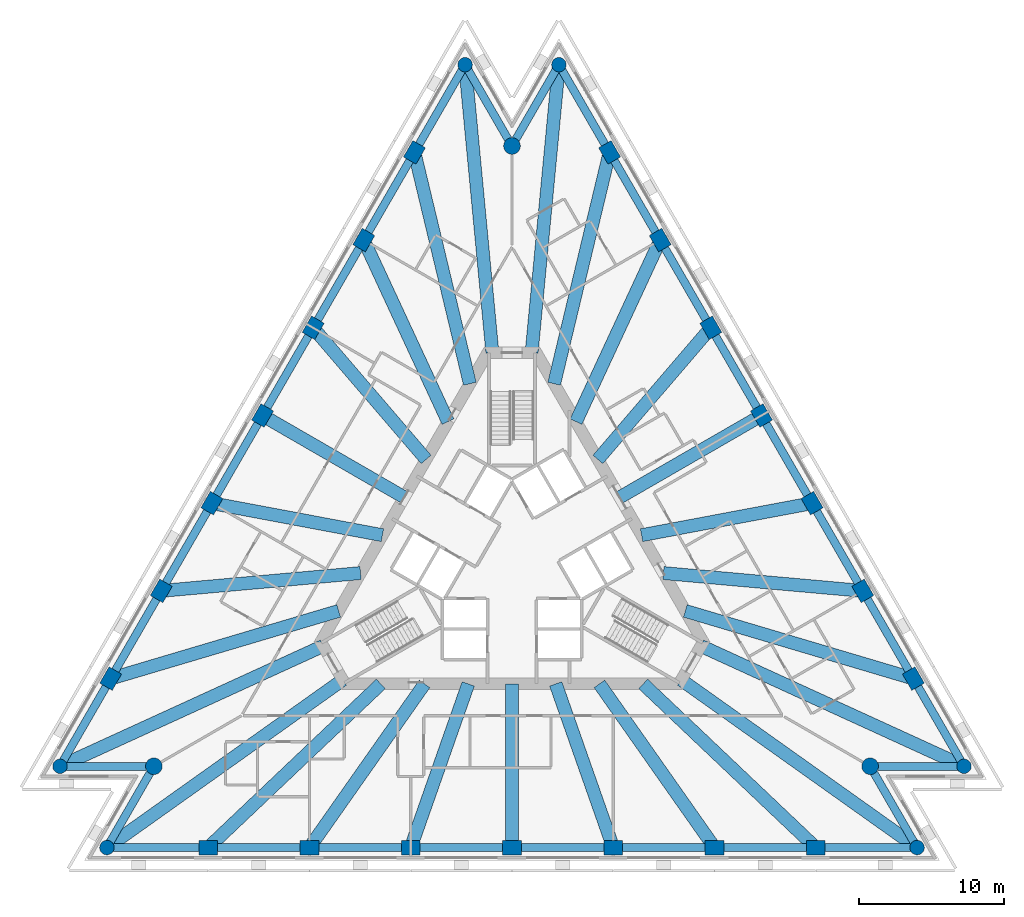
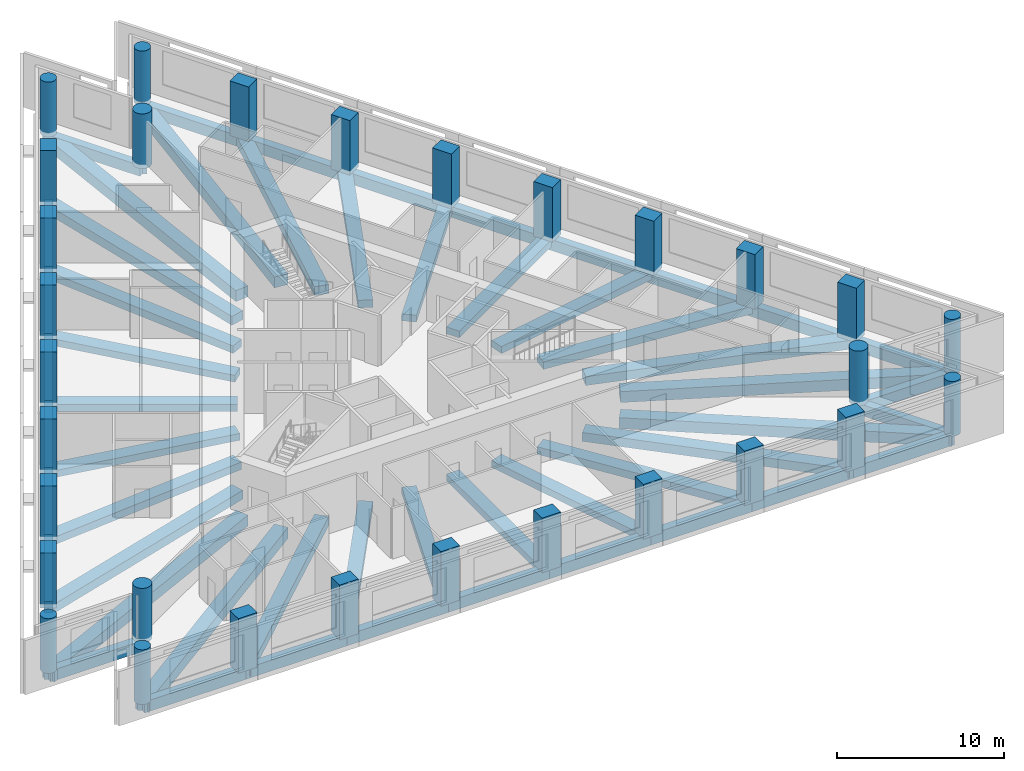
# One storey, part 1 of 10: 57 beams, 30 columns.
"""IFC4 building model written with IfcOpenShell, lengths in metres."""

from ifc_helpers import new_model, si_unit, direction, frame, origin, origin_2d, place, context, subcontext, project, spatial, rectangle, circle, extrude, material, material_profile, profile_set, type_object, element, save


model = new_model("IFC4")

# Units and contexts
model_context = context("Model", 3, precision=1e-05, world=origin(), true_north=direction((0.0, 1.0)))
body_context = subcontext(model_context, "Body", "Model", "MODEL_VIEW")
ifc_project = project(units=[si_unit("LENGTHUNIT", "METRE"), si_unit("AREAUNIT", "SQUARE_METRE"), si_unit("VOLUMEUNIT", "CUBIC_METRE"), si_unit("PLANEANGLEUNIT", "RADIAN"), si_unit("MASSUNIT", "GRAM", prefix="KILO")], contexts=[model_context])

# Site, building, storey
site_placement = place(None, origin())
site = spatial("IfcSite", under=ifc_project, at=site_placement, CompositionType="ELEMENT")
building_placement = place(site_placement, origin())
building = spatial("IfcBuilding", under=site, at=building_placement, Name="Triada Interchange Tower", CompositionType="ELEMENT")
storey_placement = place(building_placement, frame((0.0, 0.0, 108.300048828125)))
storey = spatial("IfcBuildingStorey", under=building, at=storey_placement, Name="L24", CompositionType="ELEMENT", Elevation=108.300048828125)

# Columns
ifc_material_1 = material(Name="Concrete C60/75", Category="concrete")
ifc_material_profile_1 = material_profile(ifc_material_1, rectangle(XDim=1.300048828125, YDim=1.0, at=origin_2d()), Name="RC 1300x1000")
ifc_profile_set_1 = profile_set([ifc_material_profile_1], Name="Concrete C60/75")
column_type_1 = type_object("IfcColumnType", Name="Column B face RC 1300x1000", PredefinedType="COLUMN", material=ifc_profile_set_1)
for number, where, z_axis, x_axis, name in (
    (1, (-6.74609375, 28.14892578125, -0.300048828125), (0.0, 0.0, 1.0), (0.5, 0.866025403784, 0.0), "Column CB02 L24"),
    (2, (-10.2470703125, 22.0859375, -0.300048828125), (0.0, 0.0, 1.0), (0.5, 0.866025403784, 0.0), "Column CB03 L24"),
    (3, (-13.748046875, 16.02197265625, -0.300048828125), (0.0, 0.0, 1.0), (0.5, 0.866025403784, 0.0), "Column CB04 L24"),
    (4, (-17.248046875, 9.9580078125, -0.300048828125), (0.0, 0.0, 1.0), (0.5, 0.866025403784, 0.0), "Column CB05 L24"),
    (5, (-20.7490234375, 3.89501953125, -0.300048828125), (0.0, 0.0, 1.0), (0.5, 0.866025403784, 0.0), "Column CB06 L24"),
    (6, (-24.25, -2.1689453125, -0.300048828125), (0.0, 0.0, 1.0), (0.5, 0.866025403784, 0.0), "Column CB07 L24"),
    (7, (-27.7509765625, -8.23193359375, -0.300048828125), (0.0, 0.0, 1.0), (0.5, 0.866025403784, 0.0), "Column CB08 L24"),
    (8, (-21.0048828125, -19.9169921875, -0.300048828125), (0.0, 0.0, 1.0), (1.0, 0.0, 0.0), "Column CB11 L24"),
    (9, (-14.00390625, -19.9169921875, -0.300048828125), (0.0, 0.0, 1.0), (1.0, 0.0, 0.0), "Column CB12 L24"),
    (10, (-7.001953125, -19.9169921875, -0.300048828125), (0.0, 0.0, 1.0), (1.0, 0.0, 0.0), "Column CB13 L24"),
    (11, (0.0, -19.9169921875, -0.300048828125), (0.0, 0.0, 1.0), (1.0, 0.0, 0.0), "Column CB14 L24"),
    (12, (7.001953125, -19.9169921875, -0.300048828125), (0.0, 0.0, 1.0), (1.0, 0.0, 0.0), "Column CB15 L24"),
    (13, (14.0029296875, -19.9169921875, -0.300048828125), (0.0, 0.0, 1.0), (1.0, 0.0, 0.0), "Column CB16 L24"),
    (14, (21.0048828125, -19.9169921875, -0.300048828125), (0.0, 0.0, 1.0), (1.0, 0.0, 0.0), "Column CB17 L24"),
    (15, (27.7509765625, -8.23193359375, -0.300048828125), (0.0, 0.0, 1.0), (-0.5, 0.866025403784, 0.0), "Column CB20 L24"),
    (16, (24.25, -2.1689453125, -0.300048828125), (0.0, 0.0, 1.0), (-0.5, 0.866025403784, 0.0), "Column CB21 L24"),
    (17, (20.7490234375, 3.89501953125, -0.300048828125), (0.0, 0.0, 1.0), (-0.5, 0.866025403784, 0.0), "Column CB22 L24"),
    (18, (17.248046875, 9.9580078125, -0.300048828125), (0.0, 0.0, 1.0), (-0.5, 0.866025403784, 0.0), "Column CB23 L24"),
    (19, (13.748046875, 16.02197265625, -0.300048828125), (0.0, 0.0, 1.0), (-0.5, 0.866025403784, 0.0), "Column CB24 L24"),
    (20, (10.2470703125, 22.0859375, -0.300048828125), (0.0, 0.0, 1.0), (-0.5, 0.866025403784, 0.0), "Column CB25 L24"),
    (21, (6.74609375, 28.14892578125, -0.300048828125), (0.0, 0.0, 1.0), (-0.5, 0.866025403784, 0.0), "Column CB26 L24"),
):
    element("IfcColumn", number, at=place(storey_placement, frame(where, z_axis=z_axis, x_axis=x_axis)), inside=storey, type_object=column_type_1, Name=name, PredefinedType="COLUMN", context=body_context, shape_type="SweptSolid", body=[
        extrude(rectangle(XDim=1.300048828125, YDim=1.0, at=origin_2d()), origin(), (0.0, 0.0, 1.0), 4.0),
    ])
ifc_material_profile_2 = material_profile(ifc_material_1, circle(Radius=0.5, at=origin_2d()), Name="RC D1000")
ifc_profile_set_2 = profile_set([ifc_material_profile_2], Name="Concrete C60/75")
column_type_2 = type_object("IfcColumnType", Name="End column B RC D1000", PredefinedType="COLUMN", material=ifc_profile_set_2)
for number, where, z_axis, x_axis, name in (
    (22, (-3.2451171875, 34.212890625, -0.300048828125), (0.0, 0.0, 1.0), (0.5, 0.866025403784, 0.0), "Column CB01 L24"),
    (23, (-31.251953125, -14.2958984375, -0.300048828125), (0.0, 0.0, 1.0), (0.5, 0.866025403784, 0.0), "Column CB09 L24"),
    (24, (-28.007080078125, -19.9169921875, -0.300048828125), (0.0, 0.0, 1.0), (1.0, 0.0, 0.0), "Column CB10 L24"),
    (25, (28.007080078125, -19.9169921875, -0.300048828125), (0.0, 0.0, 1.0), (1.0, 0.0, 0.0), "Column CB18 L24"),
    (26, (31.251953125, -14.2958984375, -0.300048828125), (0.0, 0.0, 1.0), (-0.5, 0.866025403784, 0.0), "Column CB19 L24"),
    (27, (3.2451171875, 34.212890625, -0.300048828125), (0.0, 0.0, 1.0), (-0.5, 0.866025403784, 0.0), "Column CB27 L24"),
):
    element("IfcColumn", number, at=place(storey_placement, frame(where, z_axis=z_axis, x_axis=x_axis)), inside=storey, type_object=column_type_2, Name=name, PredefinedType="COLUMN", context=body_context, shape_type="SweptSolid", body=[
        extrude(circle(Radius=0.5, at=origin_2d()), origin(), (0.0, 0.0, 1.0), 4.0),
    ])
ifc_material_profile_3 = material_profile(ifc_material_1, circle(Radius=0.574951171875, at=origin_2d()), Name="RC D1150")
ifc_profile_set_3 = profile_set([ifc_material_profile_3], Name="Concrete C60/75")
column_type_3 = type_object("IfcColumnType", Name="Mega column B RC D1150", PredefinedType="COLUMN", material=ifc_profile_set_3)
for number, where, z_axis, x_axis, name in (
    (28, (0.0, 28.593017578125, -0.300048828125), (0.0, 0.0, 1.0), (1.0, 0.0, 0.0), "Column MB1 L24"),
    (29, (-24.761962890625, -14.2958984375, -0.300048828125), (0.0, 0.0, 1.0), (1.0, 0.0, 0.0), "Column MB2 L24"),
    (30, (24.761962890625, -14.2958984375, -0.300048828125), (0.0, 0.0, 1.0), (1.0, 0.0, 0.0), "Column MB3 L24"),
):
    element("IfcColumn", number, at=place(storey_placement, frame(where, z_axis=z_axis, x_axis=x_axis)), inside=storey, type_object=column_type_3, Name=name, PredefinedType="COLUMN", context=body_context, shape_type="SweptSolid", body=[
        extrude(circle(Radius=0.574951171875, at=origin_2d()), origin(), (0.0, 0.0, 1.0), 4.0),
    ])

# Beams
ifc_material_2 = material(Name="Concrete C50/60", Category="concrete")
ifc_material_profile_4 = material_profile(ifc_material_2, rectangle(XDim=0.89990234375, YDim=0.5, at=origin_2d()), Name="RC 900x500")
ifc_profile_set_4 = profile_set([ifc_material_profile_4], Name="Concrete C50/60")
beam_type_1 = type_object("IfcBeamType", Name="Radial band beam B RC 900x500", PredefinedType="BEAM", material=ifc_profile_set_4)
beam_1_placement = place(storey_placement, frame((-13.748046875, 16.02197265625, -0.550048828125), z_axis=(0.651203572594, -0.758903094631, 0.0), x_axis=(0.758903094631, 0.651203572594, 0.0)))
element("IfcBeam", 31, at=beam_1_placement, inside=storey, type_object=beam_type_1, Name="Radial band beam BB04 L24", PredefinedType="BEAM", context=body_context, shape_type="SweptSolid", body=[
    extrude(rectangle(XDim=0.89990234375, YDim=0.5, at=origin_2d()), origin(), (0.0, 0.0, 1.0), 11.996337890625),
])
beam_2_placement = place(storey_placement, frame((-17.248046875, 9.9580078125, -0.550048828125), z_axis=(0.866029300872, -0.499993249986, 0.0), x_axis=(0.499993249986, 0.866029300872, 0.0)))
element("IfcBeam", 32, at=beam_2_placement, inside=storey, type_object=beam_type_1, Name="Radial band beam BB05 L24", PredefinedType="BEAM", context=body_context, shape_type="SweptSolid", body=[
    extrude(rectangle(XDim=0.89990234375, YDim=0.5, at=origin_2d()), origin(), (0.0, 0.0, 1.0), 11.316162109375),
])
beam_3_placement = place(storey_placement, frame((-20.7490234375, 3.89501953125, -0.550048828125), z_axis=(0.982834380844, -0.184490053474, 0.0), x_axis=(0.184490053474, 0.982834380844, 0.0)))
element("IfcBeam", 33, at=beam_3_placement, inside=storey, type_object=beam_type_1, Name="Radial band beam BB06 L24", PredefinedType="BEAM", context=body_context, shape_type="SweptSolid", body=[
    extrude(rectangle(XDim=0.89990234375, YDim=0.5, at=origin_2d()), origin(), (0.0, 0.0, 1.0), 11.995849609375),
])
beam_4_placement = place(storey_placement, frame((-7.001953125, -19.9169921875, -0.550048828125), z_axis=(0.331693580606, 0.943387178514, 0.0), x_axis=(-0.943387178514, 0.331693580606, 0.0)))
element("IfcBeam", 34, at=beam_4_placement, inside=storey, type_object=beam_type_1, Name="Radial band beam BB14 L24", PredefinedType="BEAM", context=body_context, shape_type="SweptSolid", body=[
    extrude(rectangle(XDim=0.89990234375, YDim=0.5, at=origin_2d()), origin(), (0.0, 0.0, 1.0), 11.99609375),
])
beam_5_placement = place(storey_placement, frame((0.0, -19.9169921875, -0.550048828125), z_axis=(0.0, 1.0, 0.0), x_axis=(-1.0, 0.0, 0.0)))
element("IfcBeam", 35, at=beam_5_placement, inside=storey, type_object=beam_type_1, Name="Radial band beam BB15 L24", PredefinedType="BEAM", context=body_context, shape_type="SweptSolid", body=[
    extrude(rectangle(XDim=0.89990234375, YDim=0.5, at=origin_2d()), origin(), (0.0, 0.0, 1.0), 11.31689453125),
])
beam_6_placement = place(storey_placement, frame((7.001953125, -19.9169921875, -0.550048828125), z_axis=(-0.331693580606, 0.943387178514, 0.0), x_axis=(-0.943387178514, -0.331693580606, 0.0)))
element("IfcBeam", 36, at=beam_6_placement, inside=storey, type_object=beam_type_1, Name="Radial band beam BB16 L24", PredefinedType="BEAM", context=body_context, shape_type="SweptSolid", body=[
    extrude(rectangle(XDim=0.89990234375, YDim=0.5, at=origin_2d()), origin(), (0.0, 0.0, 1.0), 11.99609375),
])
beam_7_placement = place(storey_placement, frame((20.7490234375, 3.89501953125, -0.550048828125), z_axis=(-0.982834380844, -0.184490053474, 0.0), x_axis=(0.184490053474, -0.982834380844, 0.0)))
element("IfcBeam", 37, at=beam_7_placement, inside=storey, type_object=beam_type_1, Name="Radial band beam BB24 L24", PredefinedType="BEAM", context=body_context, shape_type="SweptSolid", body=[
    extrude(rectangle(XDim=0.89990234375, YDim=0.5, at=origin_2d()), origin(), (0.0, 0.0, 1.0), 11.995849609375),
])
beam_8_placement = place(storey_placement, frame((17.248046875, 9.9580078125, -0.550048828125), z_axis=(-0.866029300872, -0.499993249986, 0.0), x_axis=(0.499993249986, -0.866029300872, 0.0)))
element("IfcBeam", 38, at=beam_8_placement, inside=storey, type_object=beam_type_1, Name="Radial band beam BB25 L24", PredefinedType="BEAM", context=body_context, shape_type="SweptSolid", body=[
    extrude(rectangle(XDim=0.89990234375, YDim=0.5, at=origin_2d()), origin(), (0.0, 0.0, 1.0), 11.316162109375),
])
beam_9_placement = place(storey_placement, frame((13.748046875, 16.02197265625, -0.550048828125), z_axis=(-0.651203572594, -0.758903094631, 0.0), x_axis=(0.758903094631, -0.651203572594, 0.0)))
element("IfcBeam", 39, at=beam_9_placement, inside=storey, type_object=beam_type_1, Name="Radial band beam BB26 L24", PredefinedType="BEAM", context=body_context, shape_type="SweptSolid", body=[
    extrude(rectangle(XDim=0.89990234375, YDim=0.5, at=origin_2d()), origin(), (0.0, 0.0, 1.0), 11.996337890625),
])
ifc_material_profile_5 = material_profile(ifc_material_2, rectangle(XDim=0.89990234375, YDim=0.550048828125, at=origin_2d()), Name="RC 900x550")
ifc_profile_set_5 = profile_set([ifc_material_profile_5], Name="Concrete C50/60")
beam_type_2 = type_object("IfcBeamType", Name="Radial band beam B RC 900x550", PredefinedType="BEAM", material=ifc_profile_set_5)
beam_10_placement = place(storey_placement, frame((-10.2470703125, 22.0859375, -0.574951171875), z_axis=(0.420884722934, -0.907114132842, 0.0), x_axis=(0.907114132842, 0.420884722934, 0.0)))
element("IfcBeam", 40, at=beam_10_placement, inside=storey, type_object=beam_type_2, Name="Radial band beam BB03 L24", PredefinedType="BEAM", context=body_context, shape_type="SweptSolid", body=[
    extrude(rectangle(XDim=0.89990234375, YDim=0.550048828125, at=origin_2d()), origin(), (0.0, 0.0, 1.0), 13.835205078125),
])
beam_11_placement = place(storey_placement, frame((-24.25, -2.1689453125, -0.574951171875), z_axis=(0.996027062584, 0.089051056146, 0.0), x_axis=(-0.089051056146, 0.996027062584, 0.0)))
element("IfcBeam", 41, at=beam_11_placement, inside=storey, type_object=beam_type_2, Name="Radial band beam BB07 L24", PredefinedType="BEAM", context=body_context, shape_type="SweptSolid", body=[
    extrude(rectangle(XDim=0.89990234375, YDim=0.550048828125, at=origin_2d()), origin(), (0.0, 0.0, 1.0), 13.833984375),
])
for number, where, z_axis, x_axis, name in (
    (42, (-14.00390625, -19.9169921875, -0.574951171875), (0.57515719257, 0.818042910754, 0.0), (-0.818042910754, 0.57515719257, 0.0), "Radial band beam BB13 L24"),
    (43, (14.0029296875, -19.9169921875, -0.574951171875), (-0.575169002149, 0.818034607438, 0.0), (-0.818034607438, -0.575169002149, 0.0), "Radial band beam BB17 L24"),
):
    element("IfcBeam", number, at=place(storey_placement, frame(where, z_axis=z_axis, x_axis=x_axis)), inside=storey, type_object=beam_type_2, Name=name, PredefinedType="BEAM", context=body_context, shape_type="SweptSolid", body=[
        extrude(rectangle(XDim=0.89990234375, YDim=0.550048828125, at=origin_2d()), origin(), (0.0, 0.0, 1.0), 13.834228515625),
    ])
beam_12_placement = place(storey_placement, frame((24.25, -2.1689453125, -0.574951171875), z_axis=(-0.996027062584, 0.089051056146, 0.0), x_axis=(-0.089051056146, -0.996027062584, 0.0)))
element("IfcBeam", 44, at=beam_12_placement, inside=storey, type_object=beam_type_2, Name="Radial band beam BB23 L24", PredefinedType="BEAM", context=body_context, shape_type="SweptSolid", body=[
    extrude(rectangle(XDim=0.89990234375, YDim=0.550048828125, at=origin_2d()), origin(), (0.0, 0.0, 1.0), 13.833984375),
])
beam_13_placement = place(storey_placement, frame((10.2470703125, 22.0859375, -0.574951171875), z_axis=(-0.420884722934, -0.907114132842, 0.0), x_axis=(0.907114132842, -0.420884722934, 0.0)))
element("IfcBeam", 45, at=beam_13_placement, inside=storey, type_object=beam_type_2, Name="Radial band beam BB27 L24", PredefinedType="BEAM", context=body_context, shape_type="SweptSolid", body=[
    extrude(rectangle(XDim=0.89990234375, YDim=0.550048828125, at=origin_2d()), origin(), (0.0, 0.0, 1.0), 13.835205078125),
])
ifc_material_profile_6 = material_profile(ifc_material_2, rectangle(XDim=0.89990234375, YDim=0.64990234375, at=origin_2d()), Name="RC 900x650")
ifc_profile_set_6 = profile_set([ifc_material_profile_6], Name="Concrete C50/60")
beam_type_3 = type_object("IfcBeamType", Name="Radial band beam B RC 900x650", PredefinedType="BEAM", material=ifc_profile_set_6)
beam_14_placement = place(storey_placement, frame((-6.74609375, 28.14892578125, -0.625), z_axis=(0.23304171282, -0.972466739835, 0.0), x_axis=(0.972466739835, 0.23304171282, 0.0)))
element("IfcBeam", 46, at=beam_14_placement, inside=storey, type_object=beam_type_3, Name="Radial band beam BB02 L24", PredefinedType="BEAM", context=body_context, shape_type="SweptSolid", body=[
    extrude(rectangle(XDim=0.89990234375, YDim=0.64990234375, at=origin_2d()), origin(), (0.0, 0.0, 1.0), 16.44775390625),
])
beam_15_placement = place(storey_placement, frame((-27.7509765625, -8.23193359375, -0.625), z_axis=(0.958704173735, 0.284405181498, 0.0), x_axis=(-0.284405181498, 0.958704173735, 0.0)))
element("IfcBeam", 47, at=beam_15_placement, inside=storey, type_object=beam_type_3, Name="Radial band beam BB08 L24", PredefinedType="BEAM", context=body_context, shape_type="SweptSolid", body=[
    extrude(rectangle(XDim=0.89990234375, YDim=0.64990234375, at=origin_2d()), origin(), (0.0, 0.0, 1.0), 16.4482421875),
])
for number, where, z_axis, x_axis, name in (
    (48, (-21.0048828125, -19.9169921875, -0.625), (0.725642124038, 0.688072312931, 0.0), (-0.688072312931, 0.725642124038, 0.0), "Radial band beam BB12 L24"),
    (49, (21.0048828125, -19.9169921875, -0.625), (-0.725642124038, 0.688072312931, 0.0), (-0.688072312931, -0.725642124038, 0.0), "Radial band beam BB18 L24"),
):
    element("IfcBeam", number, at=place(storey_placement, frame(where, z_axis=z_axis, x_axis=x_axis)), inside=storey, type_object=beam_type_3, Name=name, PredefinedType="BEAM", context=body_context, shape_type="SweptSolid", body=[
        extrude(rectangle(XDim=0.89990234375, YDim=0.64990234375, at=origin_2d()), origin(), (0.0, 0.0, 1.0), 16.447265625),
    ])
beam_16_placement = place(storey_placement, frame((27.7509765625, -8.23193359375, -0.625), z_axis=(-0.958704173735, 0.284405181498, 0.0), x_axis=(-0.284405181498, -0.958704173735, 0.0)))
element("IfcBeam", 50, at=beam_16_placement, inside=storey, type_object=beam_type_3, Name="Radial band beam BB22 L24", PredefinedType="BEAM", context=body_context, shape_type="SweptSolid", body=[
    extrude(rectangle(XDim=0.89990234375, YDim=0.64990234375, at=origin_2d()), origin(), (0.0, 0.0, 1.0), 16.4482421875),
])
beam_17_placement = place(storey_placement, frame((6.74609375, 28.14892578125, -0.625), z_axis=(-0.23304171282, -0.972466739835, 0.0), x_axis=(0.972466739835, -0.23304171282, 0.0)))
element("IfcBeam", 51, at=beam_17_placement, inside=storey, type_object=beam_type_3, Name="Radial band beam BB28 L24", PredefinedType="BEAM", context=body_context, shape_type="SweptSolid", body=[
    extrude(rectangle(XDim=0.89990234375, YDim=0.64990234375, at=origin_2d()), origin(), (0.0, 0.0, 1.0), 16.44775390625),
])
ifc_material_profile_7 = material_profile(ifc_material_2, rectangle(XDim=0.89990234375, YDim=0.800048828125, at=origin_2d()), Name="RC 900x800")
ifc_profile_set_7 = profile_set([ifc_material_profile_7], Name="Concrete C50/60")
beam_type_4 = type_object("IfcBeamType", Name="Radial band beam B RC 900x800", PredefinedType="BEAM", material=ifc_profile_set_7)
beam_18_placement = place(storey_placement, frame((-3.2451171875, 34.212890625, -0.699951171875), z_axis=(0.094447360119, -0.995529856994, 0.0), x_axis=(0.995529856994, 0.094447360119, 0.0)))
element("IfcBeam", 52, at=beam_18_placement, inside=storey, type_object=beam_type_4, Name="Radial band beam BB01 L24", PredefinedType="BEAM", context=body_context, shape_type="SweptSolid", body=[
    extrude(rectangle(XDim=0.89990234375, YDim=0.800048828125, at=origin_2d()), origin(), (0.0, 0.0, 1.0), 20.002197265625),
])
beam_19_placement = place(storey_placement, frame((-31.251953125, -14.2958984375, -0.699951171875), z_axis=(0.909372387987, 0.415983004421, 0.0), x_axis=(-0.415983004421, 0.909372387987, 0.0)))
element("IfcBeam", 53, at=beam_19_placement, inside=storey, type_object=beam_type_4, Name="Radial band beam BB09 L24", PredefinedType="BEAM", context=body_context, shape_type="SweptSolid", body=[
    extrude(rectangle(XDim=0.89990234375, YDim=0.800048828125, at=origin_2d()), origin(), (0.0, 0.0, 1.0), 20.002685546875),
])
for number, where, z_axis, x_axis, name in (
    (54, (-28.007080078125, -19.9169921875, -0.699951171875), (0.814950584843, 0.579530451541, 0.0), (-0.579530451541, 0.814950584843, 0.0), "Radial band beam BB11 L24"),
    (55, (28.007080078125, -19.9169921875, -0.699951171875), (-0.814950584843, 0.579530451541, 0.0), (-0.579530451541, -0.814950584843, 0.0), "Radial band beam BB19 L24"),
):
    element("IfcBeam", number, at=place(storey_placement, frame(where, z_axis=z_axis, x_axis=x_axis)), inside=storey, type_object=beam_type_4, Name=name, PredefinedType="BEAM", context=body_context, shape_type="SweptSolid", body=[
        extrude(rectangle(XDim=0.89990234375, YDim=0.800048828125, at=origin_2d()), origin(), (0.0, 0.0, 1.0), 20.00244140625),
    ])
beam_20_placement = place(storey_placement, frame((31.251953125, -14.2958984375, -0.699951171875), z_axis=(-0.909372387987, 0.415983004421, 0.0), x_axis=(-0.415983004421, -0.909372387987, 0.0)))
element("IfcBeam", 56, at=beam_20_placement, inside=storey, type_object=beam_type_4, Name="Radial band beam BB21 L24", PredefinedType="BEAM", context=body_context, shape_type="SweptSolid", body=[
    extrude(rectangle(XDim=0.89990234375, YDim=0.800048828125, at=origin_2d()), origin(), (0.0, 0.0, 1.0), 20.002685546875),
])
beam_21_placement = place(storey_placement, frame((3.2451171875, 34.212890625, -0.699951171875), z_axis=(-0.094447360119, -0.995529856994, 0.0), x_axis=(0.995529856994, -0.094447360119, 0.0)))
element("IfcBeam", 57, at=beam_21_placement, inside=storey, type_object=beam_type_4, Name="Radial band beam BB29 L24", PredefinedType="BEAM", context=body_context, shape_type="SweptSolid", body=[
    extrude(rectangle(XDim=0.89990234375, YDim=0.800048828125, at=origin_2d()), origin(), (0.0, 0.0, 1.0), 20.002197265625),
])
ifc_material_profile_8 = material_profile(ifc_material_2, rectangle(XDim=0.550048828125, YDim=0.800048828125, at=origin_2d()), Name="RC 550x800")
ifc_profile_set_8 = profile_set([ifc_material_profile_8], Name="Concrete C50/60")
beam_type_5 = type_object("IfcBeamType", Name="Spandrel beam B RC 550x800", PredefinedType="BEAM", material=ifc_profile_set_8)
beam_22_placement = place(storey_placement, frame((-3.2451171875, 34.212890625, -0.699951171875), z_axis=(-0.499994090379, -0.866028815679, 0.0), x_axis=(0.866028815679, -0.499994090379, 0.0)))
element("IfcBeam", 58, at=beam_22_placement, inside=storey, type_object=beam_type_5, Name="Spandrel beam EB01 L24", PredefinedType="BEAM", context=body_context, shape_type="SweptSolid", body=[
    extrude(rectangle(XDim=0.550048828125, YDim=0.800048828125, at=origin_2d()), origin(), (0.0, 0.0, 1.0), 7.001953125),
])
beam_23_placement = place(storey_placement, frame((-6.74609375, 28.14892578125, -0.699951171875), z_axis=(-0.500054487556, -0.865993943094, 0.0), x_axis=(0.865993943094, -0.500054487556, 0.0)))
element("IfcBeam", 59, at=beam_23_placement, inside=storey, type_object=beam_type_5, Name="Spandrel beam EB02 L24", PredefinedType="BEAM", context=body_context, shape_type="SweptSolid", body=[
    extrude(rectangle(XDim=0.550048828125, YDim=0.800048828125, at=origin_2d()), origin(), (0.0, 0.0, 1.0), 7.001220703125),
])
beam_24_placement = place(storey_placement, frame((-10.2470703125, 22.0859375, -0.699951171875), z_axis=(-0.499994090379, -0.866028815679, 0.0), x_axis=(0.866028815679, -0.499994090379, 0.0)))
element("IfcBeam", 60, at=beam_24_placement, inside=storey, type_object=beam_type_5, Name="Spandrel beam EB03 L24", PredefinedType="BEAM", context=body_context, shape_type="SweptSolid", body=[
    extrude(rectangle(XDim=0.550048828125, YDim=0.800048828125, at=origin_2d()), origin(), (0.0, 0.0, 1.0), 7.001953125),
])
beam_25_placement = place(storey_placement, frame((-13.748046875, 16.02197265625, -0.699951171875), z_axis=(-0.499889477339, -0.86608920467, 0.0), x_axis=(0.86608920467, -0.499889477339, 0.0)))
element("IfcBeam", 61, at=beam_25_placement, inside=storey, type_object=beam_type_5, Name="Spandrel beam EB04 L24", PredefinedType="BEAM", context=body_context, shape_type="SweptSolid", body=[
    extrude(rectangle(XDim=0.550048828125, YDim=0.800048828125, at=origin_2d()), origin(), (0.0, 0.0, 1.0), 7.00146484375),
])
beam_26_placement = place(storey_placement, frame((-17.248046875, 9.9580078125, -0.699951171875), z_axis=(-0.500054487556, -0.865993943094, 0.0), x_axis=(0.865993943094, -0.500054487556, 0.0)))
element("IfcBeam", 62, at=beam_26_placement, inside=storey, type_object=beam_type_5, Name="Spandrel beam EB05 L24", PredefinedType="BEAM", context=body_context, shape_type="SweptSolid", body=[
    extrude(rectangle(XDim=0.550048828125, YDim=0.800048828125, at=origin_2d()), origin(), (0.0, 0.0, 1.0), 7.001220703125),
])
beam_27_placement = place(storey_placement, frame((-20.7490234375, 3.89501953125, -0.699951171875), z_axis=(-0.499994090379, -0.866028815679, 0.0), x_axis=(0.866028815679, -0.499994090379, 0.0)))
element("IfcBeam", 63, at=beam_27_placement, inside=storey, type_object=beam_type_5, Name="Spandrel beam EB06 L24", PredefinedType="BEAM", context=body_context, shape_type="SweptSolid", body=[
    extrude(rectangle(XDim=0.550048828125, YDim=0.800048828125, at=origin_2d()), origin(), (0.0, 0.0, 1.0), 7.001953125),
])
beam_28_placement = place(storey_placement, frame((-24.25, -2.1689453125, -0.699951171875), z_axis=(-0.500054487556, -0.865993943094, 0.0), x_axis=(0.865993943094, -0.500054487556, 0.0)))
element("IfcBeam", 64, at=beam_28_placement, inside=storey, type_object=beam_type_5, Name="Spandrel beam EB07 L24", PredefinedType="BEAM", context=body_context, shape_type="SweptSolid", body=[
    extrude(rectangle(XDim=0.550048828125, YDim=0.800048828125, at=origin_2d()), origin(), (0.0, 0.0, 1.0), 7.001220703125),
])
beam_29_placement = place(storey_placement, frame((-27.7509765625, -8.23193359375, -0.699951171875), z_axis=(-0.499994090379, -0.866028815679, 0.0), x_axis=(0.866028815679, -0.499994090379, 0.0)))
element("IfcBeam", 65, at=beam_29_placement, inside=storey, type_object=beam_type_5, Name="Spandrel beam EB08 L24", PredefinedType="BEAM", context=body_context, shape_type="SweptSolid", body=[
    extrude(rectangle(XDim=0.550048828125, YDim=0.800048828125, at=origin_2d()), origin(), (0.0, 0.0, 1.0), 7.001953125),
])
beam_30_placement = place(storey_placement, frame((-31.251953125, -14.2958984375, -0.699951171875), z_axis=(1.0, 0.0, 0.0), x_axis=(0.0, 1.0, 0.0)))
element("IfcBeam", 66, at=beam_30_placement, inside=storey, type_object=beam_type_5, Name="Spandrel beam EB09 L24", PredefinedType="BEAM", context=body_context, shape_type="SweptSolid", body=[
    extrude(rectangle(XDim=0.550048828125, YDim=0.800048828125, at=origin_2d()), origin(), (0.0, 0.0, 1.0), 6.489990234375),
])
beam_31_placement = place(storey_placement, frame((-24.761962890625, -14.2958984375, -0.699951171875), z_axis=(-0.499974254476, -0.866040267459, 0.0), x_axis=(0.866040267459, -0.499974254476, 0.0)))
element("IfcBeam", 67, at=beam_31_placement, inside=storey, type_object=beam_type_5, Name="Spandrel beam EB10 L24", PredefinedType="BEAM", context=body_context, shape_type="SweptSolid", body=[
    extrude(rectangle(XDim=0.550048828125, YDim=0.800048828125, at=origin_2d()), origin(), (0.0, 0.0, 1.0), 6.490478515625),
])
beam_32_placement = place(storey_placement, frame((-28.007080078125, -19.9169921875, -0.699951171875), z_axis=(1.0, 0.0, 0.0), x_axis=(0.0, 1.0, 0.0)))
element("IfcBeam", 68, at=beam_32_placement, inside=storey, type_object=beam_type_5, Name="Spandrel beam EB11 L24", PredefinedType="BEAM", context=body_context, shape_type="SweptSolid", body=[
    extrude(rectangle(XDim=0.550048828125, YDim=0.800048828125, at=origin_2d()), origin(), (0.0, 0.0, 1.0), 7.002197265625),
])
beam_33_placement = place(storey_placement, frame((-21.0048828125, -19.9169921875, -0.699951171875), z_axis=(1.0, 0.0, 0.0), x_axis=(0.0, 1.0, 0.0)))
element("IfcBeam", 69, at=beam_33_placement, inside=storey, type_object=beam_type_5, Name="Spandrel beam EB12 L24", PredefinedType="BEAM", context=body_context, shape_type="SweptSolid", body=[
    extrude(rectangle(XDim=0.550048828125, YDim=0.800048828125, at=origin_2d()), origin(), (0.0, 0.0, 1.0), 7.0009765625),
])
for number, where, z_axis, x_axis, name in (
    (70, (-14.00390625, -19.9169921875, -0.699951171875), (1.0, 0.0, 0.0), (0.0, 1.0, 0.0), "Spandrel beam EB13 L24"),
    (71, (-7.001953125, -19.9169921875, -0.699951171875), (1.0, 0.0, 0.0), (0.0, 1.0, 0.0), "Spandrel beam EB14 L24"),
    (72, (0.0, -19.9169921875, -0.699951171875), (1.0, 0.0, 0.0), (0.0, 1.0, 0.0), "Spandrel beam EB15 L24"),
):
    element("IfcBeam", number, at=place(storey_placement, frame(where, z_axis=z_axis, x_axis=x_axis)), inside=storey, type_object=beam_type_5, Name=name, PredefinedType="BEAM", context=body_context, shape_type="SweptSolid", body=[
        extrude(rectangle(XDim=0.550048828125, YDim=0.800048828125, at=origin_2d()), origin(), (0.0, 0.0, 1.0), 7.001953125),
    ])
beam_34_placement = place(storey_placement, frame((7.001953125, -19.9169921875, -0.699951171875), z_axis=(1.0, 0.0, 0.0), x_axis=(0.0, 1.0, 0.0)))
element("IfcBeam", 73, at=beam_34_placement, inside=storey, type_object=beam_type_5, Name="Spandrel beam EB16 L24", PredefinedType="BEAM", context=body_context, shape_type="SweptSolid", body=[
    extrude(rectangle(XDim=0.550048828125, YDim=0.800048828125, at=origin_2d()), origin(), (0.0, 0.0, 1.0), 7.0009765625),
])
beam_35_placement = place(storey_placement, frame((14.0029296875, -19.9169921875, -0.699951171875), z_axis=(1.0, 0.0, 0.0), x_axis=(0.0, 1.0, 0.0)))
element("IfcBeam", 74, at=beam_35_placement, inside=storey, type_object=beam_type_5, Name="Spandrel beam EB17 L24", PredefinedType="BEAM", context=body_context, shape_type="SweptSolid", body=[
    extrude(rectangle(XDim=0.550048828125, YDim=0.800048828125, at=origin_2d()), origin(), (0.0, 0.0, 1.0), 7.001953125),
])
beam_36_placement = place(storey_placement, frame((21.0048828125, -19.9169921875, -0.699951171875), z_axis=(1.0, 0.0, 0.0), x_axis=(0.0, 1.0, 0.0)))
element("IfcBeam", 75, at=beam_36_placement, inside=storey, type_object=beam_type_5, Name="Spandrel beam EB18 L24", PredefinedType="BEAM", context=body_context, shape_type="SweptSolid", body=[
    extrude(rectangle(XDim=0.550048828125, YDim=0.800048828125, at=origin_2d()), origin(), (0.0, 0.0, 1.0), 7.002197265625),
])
beam_37_placement = place(storey_placement, frame((28.007080078125, -19.9169921875, -0.699951171875), z_axis=(-0.499974254476, 0.866040267459, 0.0), x_axis=(-0.866040267459, -0.499974254476, 0.0)))
element("IfcBeam", 76, at=beam_37_placement, inside=storey, type_object=beam_type_5, Name="Spandrel beam EB19 L24", PredefinedType="BEAM", context=body_context, shape_type="SweptSolid", body=[
    extrude(rectangle(XDim=0.550048828125, YDim=0.800048828125, at=origin_2d()), origin(), (0.0, 0.0, 1.0), 6.490478515625),
])
beam_38_placement = place(storey_placement, frame((24.761962890625, -14.2958984375, -0.699951171875), z_axis=(1.0, 0.0, 0.0), x_axis=(0.0, 1.0, 0.0)))
element("IfcBeam", 77, at=beam_38_placement, inside=storey, type_object=beam_type_5, Name="Spandrel beam EB20 L24", PredefinedType="BEAM", context=body_context, shape_type="SweptSolid", body=[
    extrude(rectangle(XDim=0.550048828125, YDim=0.800048828125, at=origin_2d()), origin(), (0.0, 0.0, 1.0), 6.489990234375),
])
beam_39_placement = place(storey_placement, frame((31.251953125, -14.2958984375, -0.699951171875), z_axis=(-0.499994090379, 0.866028815679, 0.0), x_axis=(-0.866028815679, -0.499994090379, 0.0)))
element("IfcBeam", 78, at=beam_39_placement, inside=storey, type_object=beam_type_5, Name="Spandrel beam EB21 L24", PredefinedType="BEAM", context=body_context, shape_type="SweptSolid", body=[
    extrude(rectangle(XDim=0.550048828125, YDim=0.800048828125, at=origin_2d()), origin(), (0.0, 0.0, 1.0), 7.001953125),
])
beam_40_placement = place(storey_placement, frame((27.7509765625, -8.23193359375, -0.699951171875), z_axis=(-0.500054487556, 0.865993943094, 0.0), x_axis=(-0.865993943094, -0.500054487556, 0.0)))
element("IfcBeam", 79, at=beam_40_placement, inside=storey, type_object=beam_type_5, Name="Spandrel beam EB22 L24", PredefinedType="BEAM", context=body_context, shape_type="SweptSolid", body=[
    extrude(rectangle(XDim=0.550048828125, YDim=0.800048828125, at=origin_2d()), origin(), (0.0, 0.0, 1.0), 7.001220703125),
])
beam_41_placement = place(storey_placement, frame((24.25, -2.1689453125, -0.699951171875), z_axis=(-0.499994090379, 0.866028815679, 0.0), x_axis=(-0.866028815679, -0.499994090379, 0.0)))
element("IfcBeam", 80, at=beam_41_placement, inside=storey, type_object=beam_type_5, Name="Spandrel beam EB23 L24", PredefinedType="BEAM", context=body_context, shape_type="SweptSolid", body=[
    extrude(rectangle(XDim=0.550048828125, YDim=0.800048828125, at=origin_2d()), origin(), (0.0, 0.0, 1.0), 7.001953125),
])
beam_42_placement = place(storey_placement, frame((20.7490234375, 3.89501953125, -0.699951171875), z_axis=(-0.500054487556, 0.865993943094, 0.0), x_axis=(-0.865993943094, -0.500054487556, 0.0)))
element("IfcBeam", 81, at=beam_42_placement, inside=storey, type_object=beam_type_5, Name="Spandrel beam EB24 L24", PredefinedType="BEAM", context=body_context, shape_type="SweptSolid", body=[
    extrude(rectangle(XDim=0.550048828125, YDim=0.800048828125, at=origin_2d()), origin(), (0.0, 0.0, 1.0), 7.001220703125),
])
beam_43_placement = place(storey_placement, frame((17.248046875, 9.9580078125, -0.699951171875), z_axis=(-0.499889477339, 0.86608920467, 0.0), x_axis=(-0.86608920467, -0.499889477339, 0.0)))
element("IfcBeam", 82, at=beam_43_placement, inside=storey, type_object=beam_type_5, Name="Spandrel beam EB25 L24", PredefinedType="BEAM", context=body_context, shape_type="SweptSolid", body=[
    extrude(rectangle(XDim=0.550048828125, YDim=0.800048828125, at=origin_2d()), origin(), (0.0, 0.0, 1.0), 7.00146484375),
])
beam_44_placement = place(storey_placement, frame((13.748046875, 16.02197265625, -0.699951171875), z_axis=(-0.499994090379, 0.866028815679, 0.0), x_axis=(-0.866028815679, -0.499994090379, 0.0)))
element("IfcBeam", 83, at=beam_44_placement, inside=storey, type_object=beam_type_5, Name="Spandrel beam EB26 L24", PredefinedType="BEAM", context=body_context, shape_type="SweptSolid", body=[
    extrude(rectangle(XDim=0.550048828125, YDim=0.800048828125, at=origin_2d()), origin(), (0.0, 0.0, 1.0), 7.001953125),
])
beam_45_placement = place(storey_placement, frame((10.2470703125, 22.0859375, -0.699951171875), z_axis=(-0.500054487556, 0.865993943094, 0.0), x_axis=(-0.865993943094, -0.500054487556, 0.0)))
element("IfcBeam", 84, at=beam_45_placement, inside=storey, type_object=beam_type_5, Name="Spandrel beam EB27 L24", PredefinedType="BEAM", context=body_context, shape_type="SweptSolid", body=[
    extrude(rectangle(XDim=0.550048828125, YDim=0.800048828125, at=origin_2d()), origin(), (0.0, 0.0, 1.0), 7.001220703125),
])
beam_46_placement = place(storey_placement, frame((6.74609375, 28.14892578125, -0.699951171875), z_axis=(-0.499994090379, 0.866028815679, 0.0), x_axis=(-0.866028815679, -0.499994090379, 0.0)))
element("IfcBeam", 85, at=beam_46_placement, inside=storey, type_object=beam_type_5, Name="Spandrel beam EB28 L24", PredefinedType="BEAM", context=body_context, shape_type="SweptSolid", body=[
    extrude(rectangle(XDim=0.550048828125, YDim=0.800048828125, at=origin_2d()), origin(), (0.0, 0.0, 1.0), 7.001953125),
])
for number, where, z_axis, x_axis, name in (
    (86, (3.2451171875, 34.212890625, -0.699951171875), (-0.500055700895, -0.865993242469, 0.0), (0.865993242469, -0.500055700895, 0.0), "Spandrel beam EB29 L24"),
    (87, (0.0, 28.593017578125, -0.699951171875), (-0.500055700895, 0.865993242469, 0.0), (-0.865993242469, -0.500055700895, 0.0), "Spandrel beam EB30 L24"),
):
    element("IfcBeam", number, at=place(storey_placement, frame(where, z_axis=z_axis, x_axis=x_axis)), inside=storey, type_object=beam_type_5, Name=name, PredefinedType="BEAM", context=body_context, shape_type="SweptSolid", body=[
        extrude(rectangle(XDim=0.550048828125, YDim=0.800048828125, at=origin_2d()), origin(), (0.0, 0.0, 1.0), 6.489501953125),
    ])

save(model, "model.ifc")
